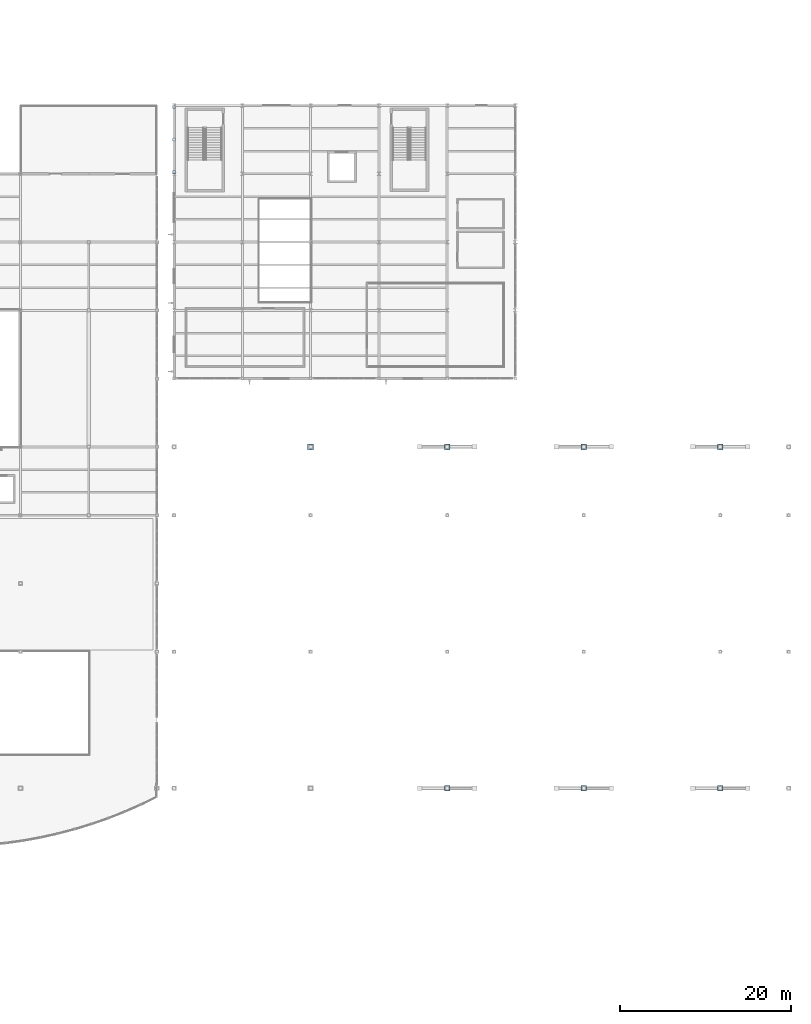
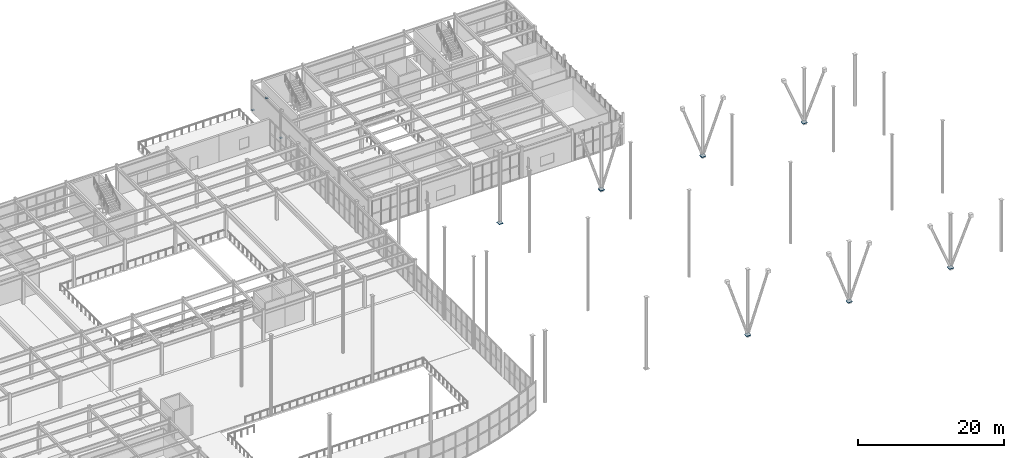
# One storey, part 55 of 77: 10 plates.
"""IFC4 building model written with IfcOpenShell, lengths in metres."""

from ifc_helpers import new_model, si_unit, direction, frame, origin, origin_2d, place, context, subcontext, project, spatial, rectangle, extrude, material, layer, layer_set, type_object, element, save


model = new_model("IFC4")

# Units and contexts
model_context = context("Model", 3, precision=1e-05, world=origin(), true_north=direction((0.0, 1.0)))
body_context = subcontext(model_context, "Body", "Model", "MODEL_VIEW")
ifc_project = project(units=[si_unit("LENGTHUNIT", "METRE"), si_unit("AREAUNIT", "SQUARE_METRE"), si_unit("VOLUMEUNIT", "CUBIC_METRE"), si_unit("PLANEANGLEUNIT", "RADIAN"), si_unit("MASSUNIT", "GRAM", prefix="KILO")], contexts=[model_context])

# Site, building, storey
site_placement = place(None, origin())
site = spatial("IfcSite", under=ifc_project, at=site_placement, CompositionType="ELEMENT")
building_placement = place(site_placement, origin())
building = spatial("IfcBuilding", under=site, at=building_placement, Name="Drelvath Fold Interchange", CompositionType="ELEMENT")
storey_placement = place(building_placement, frame((0.0, 0.0, 6.0)))
storey = spatial("IfcBuildingStorey", under=building, at=storey_placement, Name="L01", CompositionType="ELEMENT", Elevation=6.0)

# Plates
ifc_material = material(Name="Steel ASTM A572 Grade 50", Category="steel")
ifc_layer_1 = layer(ifc_material, 0.030029296875, Name="Steel ASTM A572 Grade 50")
ifc_layer_set_1 = layer_set([ifc_layer_1], Name="Steel ASTM A572 Grade 50")
plate_type_1 = type_object("IfcPlateType", Name="SN-04", PredefinedType="SHEET", material=ifc_layer_set_1)
for number, where, z_axis, x_axis, name in (
    (1, (102.0, 103.0, 4.666015625), (0.0, 0.0, 1.0), (1.0, 0.0, 0.0), "Braced frame chevron apex gusset SN-04"),
    (2, (102.0, 99.177978515625, 0.35498046875), (0.0, 0.0, 1.0), (1.0, 0.0, 0.0), "Braced frame column base gusset SN-04"),
    (3, (102.0, 106.822021484375, 0.35498046875), (0.0, 0.0, 1.0), (1.0, 0.0, 0.0), "Braced frame column base gusset SN-04"),
):
    element("IfcPlate", number, at=place(storey_placement, frame(where, z_axis=z_axis, x_axis=x_axis)), inside=storey, type_object=plate_type_1, Name=name, PredefinedType="SHEET", context=body_context, shape_type="SweptSolid", body=[
        extrude(rectangle(XDim=0.360107421875, YDim=0.360107421875, at=origin_2d()), origin(), (0.0, 0.0, 1.0), 0.030029296875),
    ])
ifc_layer_2 = layer(ifc_material, 0.090087890625, Name="Steel ASTM A572 Grade 50")
ifc_layer_set_2 = layer_set([ifc_layer_2], Name="Steel ASTM A572 Grade 50")
plate_type_2 = type_object("IfcPlateType", Name="VN-01", PredefinedType="USERDEFINED", material=ifc_layer_set_2)
for number, where, z_axis, x_axis, name in (
    (4, (118.0, 67.0, 0.0048828125), (0.0, 0.0, 1.0), (1.0, 0.0, 0.0), "Canopy V-strut springing node VN-01"),
    (5, (134.0, 27.0, 0.0048828125), (0.0, 0.0, 1.0), (1.0, 0.0, 0.0), "Canopy V-strut springing node VN-01"),
    (6, (134.0, 67.0, 0.0048828125), (0.0, 0.0, 1.0), (1.0, 0.0, 0.0), "Canopy V-strut springing node VN-01"),
    (7, (150.0, 27.0, 0.0048828125), (0.0, 0.0, 1.0), (1.0, 0.0, 0.0), "Canopy V-strut springing node VN-01"),
    (8, (150.0, 67.0, 0.0048828125), (0.0, 0.0, 1.0), (1.0, 0.0, 0.0), "Canopy V-strut springing node VN-01"),
    (9, (166.0, 27.0, 0.0048828125), (0.0, 0.0, 1.0), (1.0, 0.0, 0.0), "Canopy V-strut springing node VN-01"),
    (10, (166.0, 67.0, 0.0048828125), (0.0, 0.0, 1.0), (1.0, 0.0, 0.0), "Canopy V-strut springing node VN-01"),
):
    element("IfcPlate", number, at=place(storey_placement, frame(where, z_axis=z_axis, x_axis=x_axis)), inside=storey, type_object=plate_type_2, Name=name, ObjectType="GUSSET PLATE", PredefinedType="USERDEFINED", context=body_context, shape_type="SweptSolid", body=[
        extrude(rectangle(XDim=0.679931640625, YDim=0.679931640625, at=origin_2d()), origin(), (0.0, 0.0, 1.0), 0.090087890625),
    ])

save(model, "model.ifc")
